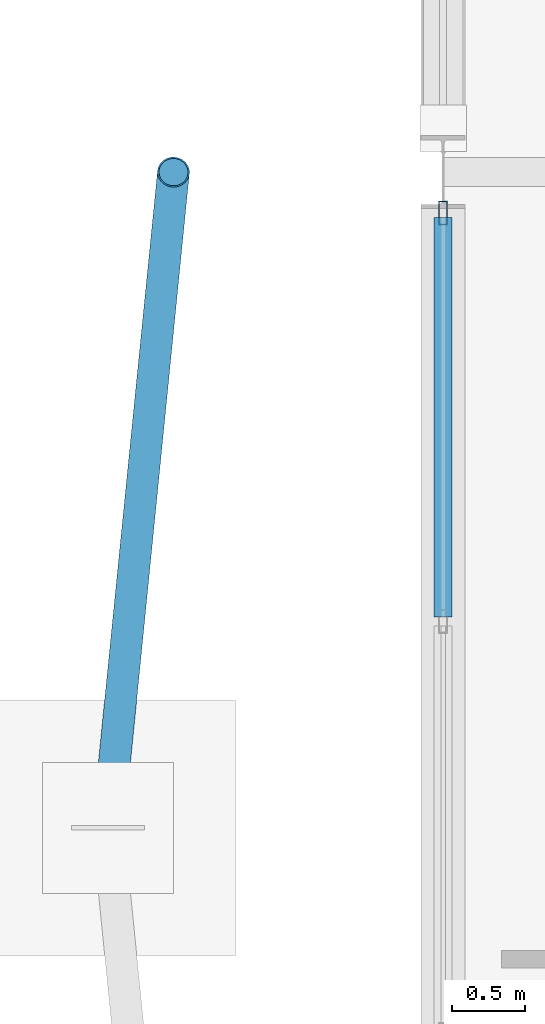
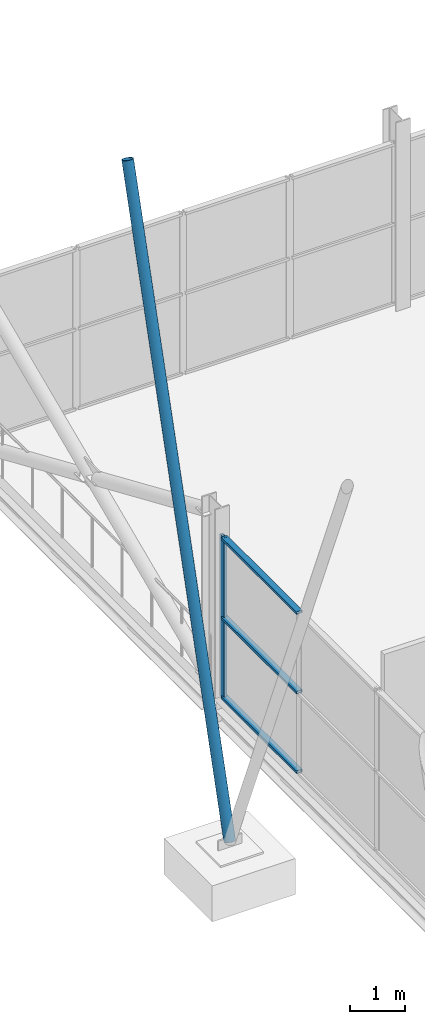
# One storey, part 69 of 140: 5 members, 1 element without a shape of its own.
"""IFC4 building model written with IfcOpenShell, lengths in metres."""

from ifc_helpers import new_model, si_unit, direction, frame, origin, origin_2d, place, context, subcontext, project, spatial, hollow_rectangle, hollow_circle, extrude, material, layer, layer_set, material_profile, profile_set, type_object, element, aggregate, save


model = new_model("IFC4")

# Units and contexts
model_context = context("Model", 3, precision=1e-05, world=origin(), true_north=direction((0.0, 1.0)))
body_context = subcontext(model_context, "Body", "Model", "MODEL_VIEW")
ifc_project = project(units=[si_unit("LENGTHUNIT", "METRE"), si_unit("AREAUNIT", "SQUARE_METRE"), si_unit("VOLUMEUNIT", "CUBIC_METRE"), si_unit("PLANEANGLEUNIT", "RADIAN"), si_unit("MASSUNIT", "GRAM", prefix="KILO")], contexts=[model_context])

# Site, building, storey
site_placement = place(None, origin())
site = spatial("IfcSite", under=ifc_project, at=site_placement, CompositionType="ELEMENT")
building_placement = place(site_placement, origin())
building = spatial("IfcBuilding", under=site, at=building_placement, Name="Deido Ridge Mobility Hub", CompositionType="ELEMENT")
storey_placement = place(building_placement, origin())
storey = spatial("IfcBuildingStorey", under=building, at=storey_placement, Name="L00", CompositionType="ELEMENT", Elevation=0.0)

# Member
ifc_material_1 = material(Name="Steel S355J2H EN 10210-1", Category="steel")
ifc_material_profile_1 = material_profile(ifc_material_1, hollow_circle(Radius=0.109619140625, WallThickness=0.010009765625, at=origin_2d()), Name="CHS 219.1x10")
ifc_profile_set_1 = profile_set([ifc_material_profile_1], Name="Steel S355J2H EN 10210-1")
member_type_1 = type_object("IfcMemberType", Name="MEM-BRC-CHS219", PredefinedType="BRACE", material=ifc_profile_set_1)
member_1_placement = place(storey_placement, frame((-2.300048828125, 67.5, 0.1650390625), z_axis=(0.034371308104, 0.343750380348, 0.938431824476), x_axis=(-0.995038259148, 0.099493029059, 0.0)))
element("IfcMember", 1, at=member_1_placement, inside=storey, type_object=member_type_1, Name="Deconstructivist exoskeleton raked V-strut BR2", PredefinedType="BRACE", context=body_context, shape_type="SweptSolid", body=[
    extrude(hollow_circle(Radius=0.109619140625, WallThickness=0.010009765625, at=origin_2d()), origin(), (0.0, 0.0, 1.0), 13.0908203125),
])

# Curtain wall, members
ifc_material_2 = material(Name="Anodised aluminium EN AW-6063 T6", Category="aluminium")
ifc_layer = layer(ifc_material_2, 0.195068359375, Name="Anodised aluminium EN AW-6063 T6")
ifc_layer_set = layer_set([ifc_layer], Name="Anodised aluminium EN AW-6063 T6")
curtain_wall_type = type_object("IfcCurtainWallType", Name="CW-UF-3", PredefinedType="USERDEFINED", material=ifc_layer_set)
curtain_wall_placement = place(storey_placement, origin())
curtain_wall = element("IfcCurtainWall", 2, at=curtain_wall_placement, inside=storey, type_object=curtain_wall_type, Name="Unitised curtain wall CW3", ObjectType="UNITISED FACADE", PredefinedType="USERDEFINED")
ifc_material_profile_2 = material_profile(ifc_material_2, hollow_rectangle(XDim=0.06005859375, YDim=0.159912109375, WallThickness=0.00390625, at=origin_2d()), Name="RHS 60x160x4")
ifc_profile_set_2 = profile_set([ifc_material_profile_2], Name="Anodised aluminium EN AW-6063 T6")
member_type_2 = type_object("IfcMemberType", Name="MEM-MUL-60X160", PredefinedType="MULLION", material=ifc_profile_set_2)
member_2_placement = place(storey_placement, frame((0.0, 71.719970703125, 0.0), z_axis=(0.0, 0.0, 1.0), x_axis=(-1.0, 0.0, 0.0)))
member_2 = element("IfcMember", 3, at=member_2_placement, type_object=member_type_2, Name="CW3 mullion 4", PredefinedType="MULLION", context=body_context, shape_type="SweptSolid", body=[
    extrude(hollow_rectangle(XDim=0.06005859375, YDim=0.159912109375, WallThickness=0.00390625, at=origin_2d()), origin(), (0.0, 0.0, 1.0), 3.60009765625),
])
ifc_material_profile_3 = material_profile(ifc_material_2, hollow_rectangle(XDim=0.125, YDim=0.06005859375, WallThickness=0.00390625, at=origin_2d()), Name="RHS 125x60x4")
ifc_profile_set_3 = profile_set([ifc_material_profile_3], Name="Anodised aluminium EN AW-6063 T6")
member_type_3 = type_object("IfcMemberType", Name="MEM-TRN-125X60", PredefinedType="USERDEFINED", material=ifc_profile_set_3)
member_3_placement = place(storey_placement, frame((0.0, 68.94677734375, 0.030029296875), z_axis=(0.0, 1.0, 0.0), x_axis=(-1.0, 0.0, 0.0)))
member_3 = element("IfcMember", 4, at=member_3_placement, type_object=member_type_3, Name="CW3 transom 3.1", ObjectType="TRANSOM", PredefinedType="USERDEFINED", context=body_context, shape_type="SweptSolid", body=[
    extrude(hollow_rectangle(XDim=0.125, YDim=0.06005859375, WallThickness=0.00390625, at=origin_2d()), origin(), (0.0, 0.0, 1.0), 2.7431640625),
])
member_4_placement = place(storey_placement, frame((0.0, 68.94677734375, 1.800048828125), z_axis=(0.0, 1.0, 0.0), x_axis=(-1.0, 0.0, 0.0)))
member_4 = element("IfcMember", 5, at=member_4_placement, type_object=member_type_3, Name="CW3 transom 3.2", ObjectType="TRANSOM", PredefinedType="USERDEFINED", context=body_context, shape_type="SweptSolid", body=[
    extrude(hollow_rectangle(XDim=0.125, YDim=0.06005859375, WallThickness=0.00390625, at=origin_2d()), origin(), (0.0, 0.0, 1.0), 2.7431640625),
])
member_5_placement = place(storey_placement, frame((0.0, 68.94677734375, 3.570068359375), z_axis=(0.0, 1.0, 0.0), x_axis=(-1.0, 0.0, 0.0)))
member_5 = element("IfcMember", 6, at=member_5_placement, type_object=member_type_3, Name="CW3 transom 3.3", ObjectType="TRANSOM", PredefinedType="USERDEFINED", context=body_context, shape_type="SweptSolid", body=[
    extrude(hollow_rectangle(XDim=0.125, YDim=0.06005859375, WallThickness=0.00390625, at=origin_2d()), origin(), (0.0, 0.0, 1.0), 2.7431640625),
])
aggregate(curtain_wall, [member_2, member_3, member_4, member_5])

save(model, "model.ifc")
